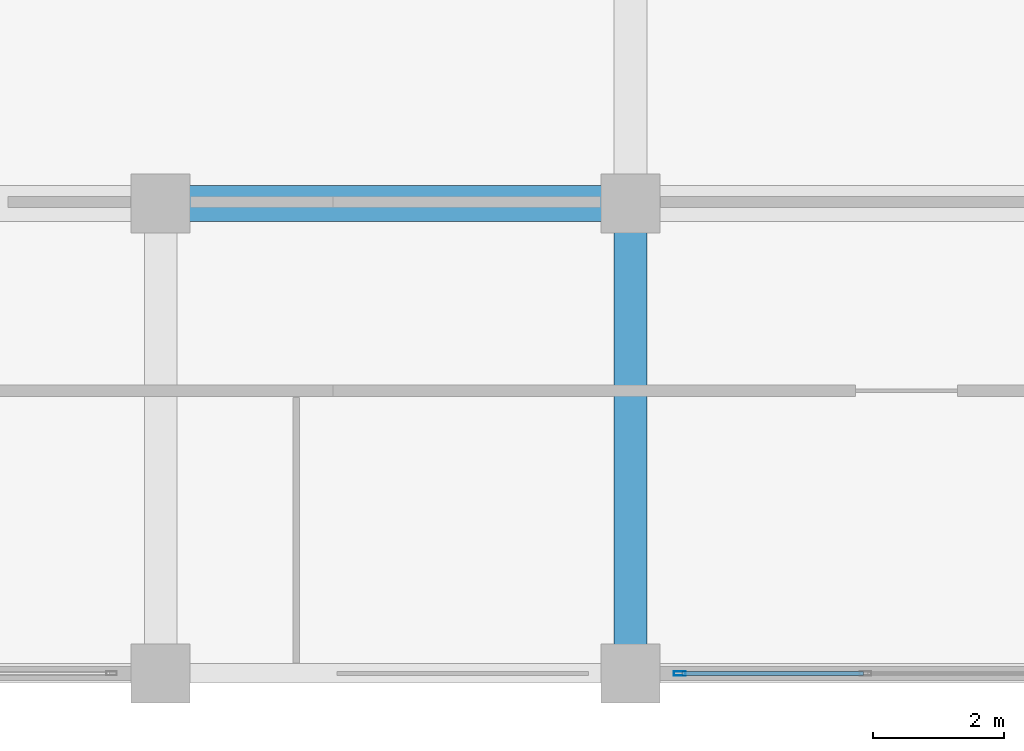
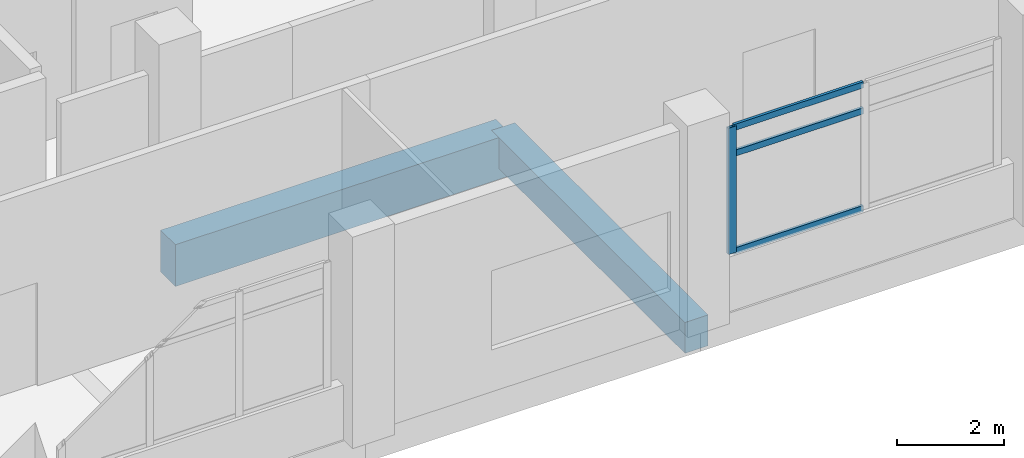
# One storey, part 40 of 181: 4 members, 2 beams, 1 element without a shape of its own.
"""IFC4 building model written with IfcOpenShell, lengths in metres."""

from ifc_helpers import new_model, si_unit, direction, frame, origin, origin_2d, place, context, subcontext, project, spatial, rectangle, hollow_rectangle, extrude, material, layer, layer_set, material_profile, profile_set, type_object, element, aggregate, save


model = new_model("IFC4")

# Units and contexts
model_context = context("Model", 3, precision=1e-05, world=origin(), true_north=direction((0.0, 1.0)))
body_context = subcontext(model_context, "Body", "Model", "MODEL_VIEW")
ifc_project = project(units=[si_unit("LENGTHUNIT", "METRE"), si_unit("AREAUNIT", "SQUARE_METRE"), si_unit("VOLUMEUNIT", "CUBIC_METRE"), si_unit("PLANEANGLEUNIT", "RADIAN"), si_unit("MASSUNIT", "GRAM", prefix="KILO")], contexts=[model_context])

# Site, building, storey
site_placement = place(None, origin())
site = spatial("IfcSite", under=ifc_project, at=site_placement, CompositionType="ELEMENT")
building_placement = place(site_placement, origin())
building = spatial("IfcBuilding", under=site, at=building_placement, Name="Seraya Terrace Polytechnic", CompositionType="ELEMENT")
storey_placement = place(building_placement, frame((0.0, 0.0, 4.800048828125)))
storey = spatial("IfcBuildingStorey", under=building, at=storey_placement, Name="L01", CompositionType="ELEMENT", Elevation=4.800048828125)

# Beams
ifc_material_1 = material(Name="Concrete C40/50", Category="concrete")
ifc_material_profile_1 = material_profile(ifc_material_1, rectangle(XDim=0.550048828125, YDim=0.949951171875, at=origin_2d()), Name="RC 550x950")
ifc_profile_set_1 = profile_set([ifc_material_profile_1], Name="Concrete C40/50")
beam_type_1 = type_object("IfcBeamType", Name="BM-03", PredefinedType="BEAM", material=ifc_profile_set_1)
beam_1_placement = place(storey_placement, frame((93.60009765625, 7.199951171875, -0.47509765625), z_axis=(1.0, 0.0, 0.0), x_axis=(0.0, 1.0, 0.0)))
element("IfcBeam", 1, at=beam_1_placement, inside=storey, type_object=beam_type_1, Name="Beam BM-03 L01 X (93.6..100.8, 7.2)", PredefinedType="BEAM", context=body_context, shape_type="SweptSolid", body=[
    extrude(rectangle(XDim=0.550048828125, YDim=0.949951171875, at=origin_2d()), origin(), (0.0, 0.0, 1.0), 7.199951171875),
])
ifc_material_profile_2 = material_profile(ifc_material_1, rectangle(XDim=0.5, YDim=0.699951171875, at=origin_2d()), Name="RC 500x700")
ifc_profile_set_2 = profile_set([ifc_material_profile_2], Name="Concrete C40/50")
beam_type_2 = type_object("IfcBeamType", Name="BM-07", PredefinedType="BEAM", material=ifc_profile_set_2)
beam_2_placement = place(storey_placement, frame((100.800048828125, 0.0, -0.35009765625), z_axis=(0.0, 1.0, 0.0), x_axis=(-1.0, 0.0, 0.0)))
element("IfcBeam", 2, at=beam_2_placement, inside=storey, type_object=beam_type_2, Name="Beam BM-07 L01 Y (100.8, 0.0..7.2)", PredefinedType="BEAM", context=body_context, shape_type="SweptSolid", body=[
    extrude(rectangle(XDim=0.5, YDim=0.699951171875, at=origin_2d()), origin(), (0.0, 0.0, 1.0), 7.199951171875),
])

# Curtain wall, members
ifc_material_2 = material(Name="Anodised aluminium EN AW-6063 T6", Category="aluminium")
ifc_layer = layer(ifc_material_2, 0.179931640625, Name="CW-31")
ifc_layer_set = layer_set([ifc_layer], Name="Anodised aluminium EN AW-6063 T6")
curtain_wall_type = type_object("IfcCurtainWallType", Name="CW-31", PredefinedType="NOTDEFINED", material=ifc_layer_set)
curtain_wall_placement = place(storey_placement, origin())
curtain_wall = element("IfcCurtainWall", 3, at=curtain_wall_placement, inside=storey, type_object=curtain_wall_type, Name="Unitised curtain wall CW-31 (CW-L01-031)", PredefinedType="NOTDEFINED")
ifc_material_profile_3 = material_profile(ifc_material_2, hollow_rectangle(XDim=0.06494140625, YDim=0.179931640625, WallThickness=0.00390625, at=origin_2d()), Name="RHS 180x65x4.0")
ifc_profile_set_3 = profile_set([ifc_material_profile_3], Name="Anodised aluminium EN AW-6063 T6")
member_type_1 = type_object("IfcMemberType", Name="CWM-01", PredefinedType="MULLION", material=ifc_profile_set_3)
member_1_placement = place(storey_placement, frame((101.552490234375, 0.0, 1.239990234375), z_axis=(0.0, 0.0, 1.0), x_axis=(0.0, -1.0, 0.0)))
member_1 = element("IfcMember", 4, at=member_1_placement, type_object=member_type_1, Name="CW-31 mullion 3", PredefinedType="MULLION", context=body_context, shape_type="SweptSolid", body=[
    extrude(hollow_rectangle(XDim=0.06494140625, YDim=0.179931640625, WallThickness=0.00390625, at=origin_2d()), origin(), (0.0, 0.0, 1.0), 2.869873046875),
])
ifc_material_profile_4 = material_profile(ifc_material_2, hollow_rectangle(XDim=0.06005859375, YDim=0.139892578125, WallThickness=0.00341796875, at=origin_2d()), Name="RHS 140x60x3.5")
ifc_profile_set_4 = profile_set([ifc_material_profile_4], Name="Anodised aluminium EN AW-6063 T6")
member_type_2 = type_object("IfcMemberType", Name="CWT-01", PredefinedType="USERDEFINED", material=ifc_profile_set_4)
member_2_placement = place(storey_placement, frame((104.367431640625, 0.0, 1.27001953125), z_axis=(-1.0, 0.0, 0.0), x_axis=(0.0, -1.0, 0.0)))
member_2 = element("IfcMember", 5, at=member_2_placement, type_object=member_type_2, Name="CW-31 transom 2.1", ObjectType="TRANSOM", PredefinedType="USERDEFINED", context=body_context, shape_type="SweptSolid", body=[
    extrude(hollow_rectangle(XDim=0.06005859375, YDim=0.139892578125, WallThickness=0.00341796875, at=origin_2d()), origin(), (0.0, 0.0, 1.0), 2.782470703125),
])
member_3_placement = place(storey_placement, frame((104.367431640625, 0.0, 3.489990234375), z_axis=(-1.0, 0.0, 0.0), x_axis=(0.0, -1.0, 0.0)))
member_3 = element("IfcMember", 6, at=member_3_placement, type_object=member_type_2, Name="CW-31 transom 2.2", ObjectType="TRANSOM", PredefinedType="USERDEFINED", context=body_context, shape_type="SweptSolid", body=[
    extrude(hollow_rectangle(XDim=0.06005859375, YDim=0.139892578125, WallThickness=0.00341796875, at=origin_2d()), origin(), (0.0, 0.0, 1.0), 2.782470703125),
])
member_4_placement = place(storey_placement, frame((104.367431640625, 0.0, 4.079833984375), z_axis=(-1.0, 0.0, 0.0), x_axis=(0.0, -1.0, 0.0)))
member_4 = element("IfcMember", 7, at=member_4_placement, type_object=member_type_2, Name="CW-31 transom 2.3", ObjectType="TRANSOM", PredefinedType="USERDEFINED", context=body_context, shape_type="SweptSolid", body=[
    extrude(hollow_rectangle(XDim=0.06005859375, YDim=0.139892578125, WallThickness=0.00341796875, at=origin_2d()), origin(), (0.0, 0.0, 1.0), 2.782470703125),
])
aggregate(curtain_wall, [member_1, member_2, member_3, member_4])

save(model, "model.ifc")
